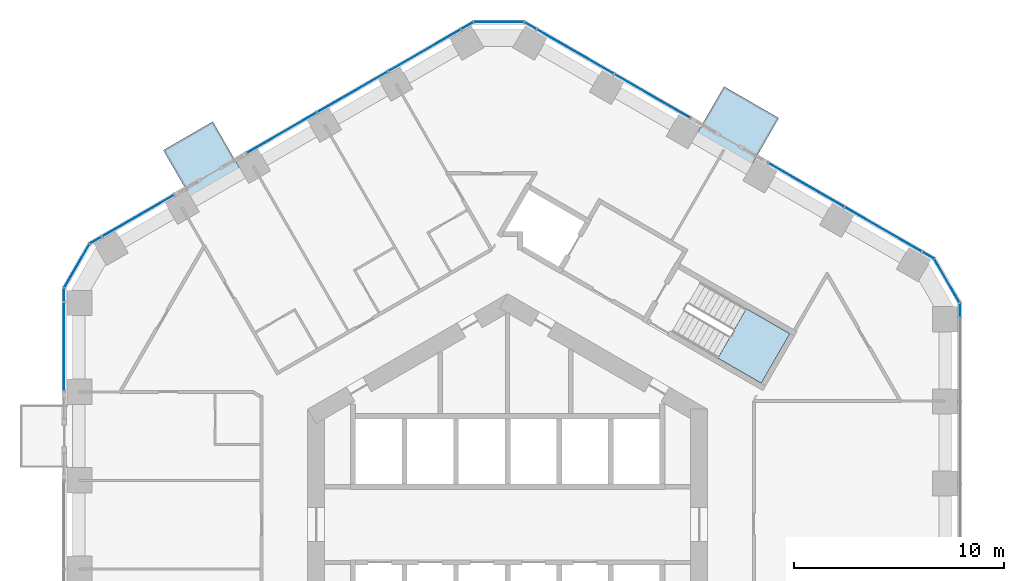
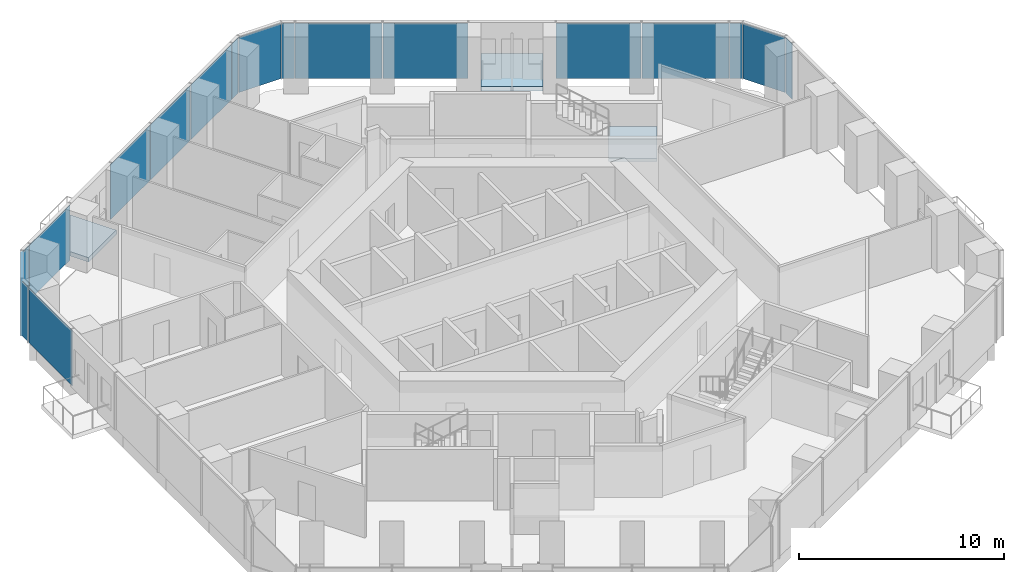
# One storey, part 12 of 20: 18 plates, 3 slabs, 9 elements without a shape of their own.
"""IFC4 building model written with IfcOpenShell, lengths in metres."""

from ifc_helpers import new_model, si_unit, direction, frame, origin, origin_2d, place, context, subcontext, project, spatial, polyline, rectangle, outline, extrude, material, layer, layer_set, type_object, element, aggregate, save


model = new_model("IFC4")

# Units and contexts
model_context = context("Model", 3, precision=1e-05, world=origin(), true_north=direction((0.0, 1.0)))
body_context = subcontext(model_context, "Body", "Model", "MODEL_VIEW")
ifc_project = project(units=[si_unit("LENGTHUNIT", "METRE"), si_unit("AREAUNIT", "SQUARE_METRE"), si_unit("VOLUMEUNIT", "CUBIC_METRE"), si_unit("PLANEANGLEUNIT", "RADIAN"), si_unit("MASSUNIT", "GRAM", prefix="KILO")], contexts=[model_context])

# Site, building, storey
site_placement = place(None, origin())
site = spatial("IfcSite", under=ifc_project, at=site_placement, CompositionType="ELEMENT")
building_placement = place(site_placement, origin())
building = spatial("IfcBuilding", under=site, at=building_placement, Name="Ayvan Gate Tower", CompositionType="ELEMENT")
storey_placement = place(building_placement, frame((0.0, 0.0, 49.300048828125)))
storey = spatial("IfcBuildingStorey", under=building, at=storey_placement, Name="L12", CompositionType="ELEMENT", Elevation=49.300048828125)

# Slabs
ifc_material_1 = material(Name="Concrete C40/50", Category="concrete")
ifc_layer_1 = layer(ifc_material_1, 0.25)
ifc_layer_set_1 = layer_set([ifc_layer_1], Name="Concrete C40/50")
slab_type_1 = type_object("IfcSlabType", Name="Balcony slab 250", PredefinedType="FLOOR", material=ifc_layer_set_1)
slab_1_placement = place(storey_placement, frame((0.0, 0.0, -0.25)))
element("IfcSlab", 1, at=slab_1_placement, inside=storey, type_object=slab_type_1, Name="Balcony slab BAL-L12-2", PredefinedType="FLOOR", context=body_context, shape_type="SweptSolid", body=[
    extrude(outline(polyline([(-12.607421875, 16.72119140625), (-14.958740234375, 15.363525390625), (-16.35888671875, 17.788330078125), (-14.00732421875, 19.14599609375), (-12.607421875, 16.72119140625)])), origin(), (0.0, 0.0, 1.0), 0.25),
])
slab_2_placement = place(storey_placement, frame((0.0, 0.0, -0.25)))
element("IfcSlab", 2, at=slab_2_placement, inside=storey, type_object=slab_type_1, Name="Balcony slab BAL-L12-1", PredefinedType="FLOOR", context=body_context, shape_type="SweptSolid", body=[
    extrude(outline(polyline([(11.485107421875, 16.889404296875), (8.88427734375, 18.39111328125), (10.2841796875, 20.81591796875), (12.885009765625, 19.314208984375), (11.485107421875, 16.889404296875)])), origin(), (0.0, 0.0, 1.0), 0.25),
])

# Stair, slab
stair_type = type_object("IfcStairType", Name="ST-EXIT", PredefinedType="HALF_TURN_STAIR", material=ifc_material_1)
stair_placement = place(storey_placement, origin())
stair = element("IfcStair", 3, at=stair_placement, inside=storey, type_object=stair_type, Name="L12 Exit Stair S1", PredefinedType="HALF_TURN_STAIR")
ifc_layer_2 = layer(ifc_material_1, 0.199951171875)
ifc_layer_set_2 = layer_set([ifc_layer_2], Name="Concrete C40/50")
slab_type_2 = type_object("IfcSlabType", Name="SL-LANDING-200", PredefinedType="LANDING", material=ifc_layer_set_2)
slab_3_placement = place(storey_placement, frame((0.0, 0.0, 1.5)))
slab_3 = element("IfcSlab", 4, at=slab_3_placement, type_object=slab_type_2, Name="STS1 landing 1", PredefinedType="LANDING", context=body_context, shape_type="SweptSolid", body=[
    extrude(outline(polyline([(9.988525390625, 7.91064453125), (12.049560546875, 6.720458984375), (13.404541015625, 9.0673828125), (11.343505859375, 10.257568359375), (9.988525390625, 7.91064453125)])), origin(), (0.0, 0.0, 1.0), 0.199951171875),
])
aggregate(stair, [slab_3])

# Curtain wall, plates
ifc_material_2 = material(Name="Bronze anodised aluminium", Category="aluminium")
ifc_layer_3 = layer(ifc_material_2, 0.199951171875)
ifc_layer_set_3 = layer_set([ifc_layer_3], Name="Bronze anodised aluminium")
curtain_wall_type_1 = type_object("IfcCurtainWallType", Name="Stick curtain wall CW-1", PredefinedType="NOTDEFINED", material=ifc_layer_set_3)
curtain_wall_1_placement = place(storey_placement, origin())
curtain_wall_1 = element("IfcCurtainWall", 5, at=curtain_wall_1_placement, inside=storey, type_object=curtain_wall_type_1, Name="Stick curtain wall CW-1 L12", PredefinedType="NOTDEFINED")
ifc_material_3 = material(Name="Clear low-iron laminated glass", Category="glass")
ifc_layer_4 = layer(ifc_material_3, 0.028076171875)
ifc_layer_set_4 = layer_set([ifc_layer_4], Name="Clear low-iron laminated glass")
plate_type_1 = type_object("IfcPlateType", Name="Stick curtain wall CW-1 glass panel", PredefinedType="CURTAIN_PANEL", material=ifc_layer_set_4)
plate_1_placement = place(storey_placement, frame((-3.9296875, 22.539306640625, 0.0), z_axis=(0.0, 0.0, 1.0), x_axis=(-0.866025403784, -0.5, 0.0)))
plate_1 = element("IfcPlate", 6, at=plate_1_placement, type_object=plate_type_1, Name="CW-1 glass panel 1", PredefinedType="CURTAIN_PANEL", context=body_context, shape_type="SweptSolid", body=[
    extrude(rectangle(XDim=3.968017578125, YDim=0.028076171875, at=origin_2d()), origin(), (0.0, 0.0, 1.0), 3.280029296875),
])
plate_2_placement = place(storey_placement, frame((-7.363525390625, 20.556884765625, 0.0), z_axis=(0.0, 0.0, 1.0), x_axis=(-0.866025403784, -0.5, 0.0)))
plate_2 = element("IfcPlate", 7, at=plate_2_placement, type_object=plate_type_1, Name="CW-1 glass panel 2", PredefinedType="CURTAIN_PANEL", context=body_context, shape_type="SweptSolid", body=[
    extrude(rectangle(XDim=3.842041015625, YDim=0.028076171875, at=origin_2d()), origin(), (0.0, 0.0, 1.0), 3.280029296875),
])
plate_3_placement = place(storey_placement, frame((-10.742431640625, 18.606201171875, 0.0), z_axis=(0.0, 0.0, 1.0), x_axis=(-0.866025403784, -0.5, 0.0)))
plate_3 = element("IfcPlate", 8, at=plate_3_placement, type_object=plate_type_1, Name="CW-1 glass panel 3", PredefinedType="CURTAIN_PANEL", context=body_context, shape_type="SweptSolid", body=[
    extrude(rectangle(XDim=3.841064453125, YDim=0.028076171875, at=origin_2d()), origin(), (0.0, 0.0, 1.0), 3.280029296875),
])
aggregate(curtain_wall_1, [plate_1, plate_2, plate_3])

# Curtain wall, plate
curtain_wall_2_placement = place(storey_placement, origin())
curtain_wall_2 = element("IfcCurtainWall", 9, at=curtain_wall_2_placement, inside=storey, type_object=curtain_wall_type_1, Name="Stick curtain wall CW-1 L12", PredefinedType="NOTDEFINED")
plate_4_placement = place(storey_placement, frame((-17.554931640625, 14.6728515625, 0.0), z_axis=(0.0, 0.0, 1.0), x_axis=(-0.866025403784, -0.5, 0.0)))
plate_4 = element("IfcPlate", 10, at=plate_4_placement, type_object=plate_type_1, Name="CW-1 glass panel 1", PredefinedType="CURTAIN_PANEL", context=body_context, shape_type="SweptSolid", body=[
    extrude(rectangle(XDim=3.9677734375, YDim=0.028076171875, at=origin_2d()), origin(), (0.0, 0.0, 1.0), 3.280029296875),
])
aggregate(curtain_wall_2, [plate_4])

curtain_wall_3_placement = place(storey_placement, origin())
curtain_wall_3 = element("IfcCurtainWall", 11, at=curtain_wall_3_placement, inside=storey, type_object=curtain_wall_type_1, Name="Stick curtain wall CW-1 L12", PredefinedType="NOTDEFINED")
plate_5_placement = place(storey_placement, frame((-21.069091796875, 8.45751953125, 0.0), z_axis=(0.0, 0.0, 1.0), x_axis=(0.0, -1.0, 0.0)))
plate_5 = element("IfcPlate", 12, at=plate_5_placement, type_object=plate_type_1, Name="CW-1 glass panel 1", PredefinedType="CURTAIN_PANEL", context=body_context, shape_type="SweptSolid", body=[
    extrude(rectangle(XDim=4.22509765625, YDim=0.028076171875, at=origin_2d()), origin(), (0.0, 0.0, 1.0), 3.280029296875),
])
aggregate(curtain_wall_3, [plate_5])

# Curtain wall, plates
curtain_wall_4_placement = place(storey_placement, origin())
curtain_wall_4 = element("IfcCurtainWall", 13, at=curtain_wall_4_placement, inside=storey, type_object=curtain_wall_type_1, Name="Stick curtain wall CW-1 L12", PredefinedType="NOTDEFINED")
plate_6_placement = place(storey_placement, frame((17.85888671875, 14.017822265625, 0.0), z_axis=(0.0, 0.0, 1.0), x_axis=(-0.866025403784, 0.5, 0.0)))
plate_6 = element("IfcPlate", 14, at=plate_6_placement, type_object=plate_type_1, Name="CW-1 glass panel 1", PredefinedType="CURTAIN_PANEL", context=body_context, shape_type="SweptSolid", body=[
    extrude(rectangle(XDim=4.22509765625, YDim=0.028076171875, at=origin_2d()), origin(), (0.0, 0.0, 1.0), 3.280029296875),
])
plate_7_placement = place(storey_placement, frame((14.180419921875, 16.141357421875, 0.0), z_axis=(0.0, 0.0, 1.0), x_axis=(-0.866025403784, 0.5, 0.0)))
plate_7 = element("IfcPlate", 15, at=plate_7_placement, type_object=plate_type_1, Name="CW-1 glass panel 2", PredefinedType="CURTAIN_PANEL", context=body_context, shape_type="SweptSolid", body=[
    extrude(rectangle(XDim=4.14990234375, YDim=0.028076171875, at=origin_2d()), origin(), (0.0, 0.0, 1.0), 3.280029296875),
])
aggregate(curtain_wall_4, [plate_6, plate_7])

curtain_wall_5_placement = place(storey_placement, origin())
curtain_wall_5 = element("IfcCurtainWall", 16, at=curtain_wall_5_placement, inside=storey, type_object=curtain_wall_type_1, Name="Stick curtain wall CW-1 L12", PredefinedType="NOTDEFINED")
plate_8_placement = place(storey_placement, frame((6.888671875, 20.3515625, 0.0), z_axis=(0.0, 0.0, 1.0), x_axis=(-0.866025403784, 0.5, 0.0)))
plate_8 = element("IfcPlate", 17, at=plate_8_placement, type_object=plate_type_1, Name="CW-1 glass panel 1", PredefinedType="CURTAIN_PANEL", context=body_context, shape_type="SweptSolid", body=[
    extrude(rectangle(XDim=4.14990234375, YDim=0.028076171875, at=origin_2d()), origin(), (0.0, 0.0, 1.0), 3.280029296875),
])
plate_9_placement = place(storey_placement, frame((3.210205078125, 22.47509765625, 0.0), z_axis=(0.0, 0.0, 1.0), x_axis=(-0.866025403784, 0.5, 0.0)))
plate_9 = element("IfcPlate", 18, at=plate_9_placement, type_object=plate_type_1, Name="CW-1 glass panel 2", PredefinedType="CURTAIN_PANEL", context=body_context, shape_type="SweptSolid", body=[
    extrude(rectangle(XDim=4.224853515625, YDim=0.028076171875, at=origin_2d()), origin(), (0.0, 0.0, 1.0), 3.280029296875),
])
aggregate(curtain_wall_5, [plate_8, plate_9])

ifc_layer_5 = layer(ifc_material_2, 0.199951171875)
ifc_layer_set_5 = layer_set([ifc_layer_5], Name="Bronze anodised aluminium")
curtain_wall_type_2 = type_object("IfcCurtainWallType", Name="Stick curtain wall CW-6", PredefinedType="NOTDEFINED", material=ifc_layer_set_5)
curtain_wall_6_placement = place(storey_placement, origin())
curtain_wall_6 = element("IfcCurtainWall", 19, at=curtain_wall_6_placement, inside=storey, type_object=curtain_wall_type_2, Name="Stick curtain wall CW-6 L12", PredefinedType="NOTDEFINED")
ifc_layer_6 = layer(ifc_material_3, 0.028076171875)
ifc_layer_set_6 = layer_set([ifc_layer_6], Name="Clear low-iron laminated glass")
plate_type_2 = type_object("IfcPlateType", Name="Stick curtain wall CW-6 glass panel", PredefinedType="CURTAIN_PANEL", material=ifc_layer_set_6)
plate_10_placement = place(storey_placement, frame((-19.569580078125, 13.509765625, 0.0), z_axis=(0.0, 0.0, 1.0), x_axis=(-0.866025403784, -0.5, 0.0)))
plate_10 = element("IfcPlate", 20, at=plate_10_placement, type_object=plate_type_2, Name="CW-6 glass panel 1", PredefinedType="CURTAIN_PANEL", context=body_context, shape_type="SweptSolid", body=[
    extrude(rectangle(XDim=0.625, YDim=0.028076171875, at=origin_2d()), origin(), (0.0, 0.0, 1.0), 3.280029296875),
])
plate_11_placement = place(storey_placement, frame((-20.465576171875, 12.29541015625, 0.0), z_axis=(0.0, 0.0, 1.0), x_axis=(-0.5, -0.866025403784, 0.0)))
plate_11 = element("IfcPlate", 21, at=plate_11_placement, type_object=plate_type_2, Name="CW-6 glass panel 2", PredefinedType="CURTAIN_PANEL", context=body_context, shape_type="SweptSolid", body=[
    extrude(rectangle(XDim=2.364501953125, YDim=0.028076171875, at=origin_2d()), origin(), (0.0, 0.0, 1.0), 3.280029296875),
])
plate_12_placement = place(storey_placement, frame((-21.069091796875, 10.912353515625, 0.0), z_axis=(0.0, 0.0, 1.0), x_axis=(0.0, -1.0, 0.0)))
plate_12 = element("IfcPlate", 22, at=plate_12_placement, type_object=plate_type_2, Name="CW-6 glass panel 3", PredefinedType="CURTAIN_PANEL", context=body_context, shape_type="SweptSolid", body=[
    extrude(rectangle(XDim=0.625, YDim=0.028076171875, at=origin_2d()), origin(), (0.0, 0.0, 1.0), 3.280029296875),
])
aggregate(curtain_wall_6, [plate_10, plate_11, plate_12])

curtain_wall_7_placement = place(storey_placement, origin())
curtain_wall_7 = element("IfcCurtainWall", 23, at=curtain_wall_7_placement, inside=storey, type_object=curtain_wall_type_2, Name="Stick curtain wall CW-6 L12", PredefinedType="NOTDEFINED")
plate_13_placement = place(storey_placement, frame((21.484619140625, 10.19287109375, 0.0), z_axis=(0.0, 0.0, 1.0), x_axis=(0.0, 1.0, 0.0)))
plate_13 = element("IfcPlate", 24, at=plate_13_placement, type_object=plate_type_2, Name="CW-6 glass panel 1", PredefinedType="CURTAIN_PANEL", context=body_context, shape_type="SweptSolid", body=[
    extrude(rectangle(XDim=0.625, YDim=0.028076171875, at=origin_2d()), origin(), (0.0, 0.0, 1.0), 3.280029296875),
])
plate_14_placement = place(storey_placement, frame((20.880859375, 11.575927734375, 0.0), z_axis=(0.0, 0.0, 1.0), x_axis=(-0.5, 0.866025403784, 0.0)))
plate_14 = element("IfcPlate", 25, at=plate_14_placement, type_object=plate_type_2, Name="CW-6 glass panel 2", PredefinedType="CURTAIN_PANEL", context=body_context, shape_type="SweptSolid", body=[
    extrude(rectangle(XDim=2.364501953125, YDim=0.028076171875, at=origin_2d()), origin(), (0.0, 0.0, 1.0), 3.280029296875),
])
plate_15_placement = place(storey_placement, frame((19.985107421875, 12.790283203125, 0.0), z_axis=(0.0, 0.0, 1.0), x_axis=(-0.866025403784, 0.5, 0.0)))
plate_15 = element("IfcPlate", 26, at=plate_15_placement, type_object=plate_type_2, Name="CW-6 glass panel 3", PredefinedType="CURTAIN_PANEL", context=body_context, shape_type="SweptSolid", body=[
    extrude(rectangle(XDim=0.625, YDim=0.028076171875, at=origin_2d()), origin(), (0.0, 0.0, 1.0), 3.280029296875),
])
aggregate(curtain_wall_7, [plate_13, plate_14, plate_15])

curtain_wall_8_placement = place(storey_placement, origin())
curtain_wall_8 = element("IfcCurtainWall", 27, at=curtain_wall_8_placement, inside=storey, type_object=curtain_wall_type_2, Name="Stick curtain wall CW-6 L12", PredefinedType="NOTDEFINED")
plate_16_placement = place(storey_placement, frame((1.084228515625, 23.70263671875, 0.0), z_axis=(0.0, 0.0, 1.0), x_axis=(-0.866025403784, 0.5, 0.0)))
plate_16 = element("IfcPlate", 28, at=plate_16_placement, type_object=plate_type_2, Name="CW-6 glass panel 1", PredefinedType="CURTAIN_PANEL", context=body_context, shape_type="SweptSolid", body=[
    extrude(rectangle(XDim=0.625, YDim=0.028076171875, at=origin_2d()), origin(), (0.0, 0.0, 1.0), 3.280029296875),
])
plate_17_placement = place(storey_placement, frame((-0.41552734375, 23.871337890625, 0.0), z_axis=(0.0, 0.0, 1.0), x_axis=(-1.0, 0.0, 0.0)))
plate_17 = element("IfcPlate", 29, at=plate_17_placement, type_object=plate_type_2, Name="CW-6 glass panel 2", PredefinedType="CURTAIN_PANEL", context=body_context, shape_type="SweptSolid", body=[
    extrude(rectangle(XDim=2.364501953125, YDim=0.028076171875, at=origin_2d()), origin(), (0.0, 0.0, 1.0), 3.280029296875),
])
plate_18_placement = place(storey_placement, frame((-1.9150390625, 23.70263671875, 0.0), z_axis=(0.0, 0.0, 1.0), x_axis=(-0.866025403784, -0.5, 0.0)))
plate_18 = element("IfcPlate", 30, at=plate_18_placement, type_object=plate_type_2, Name="CW-6 glass panel 3", PredefinedType="CURTAIN_PANEL", context=body_context, shape_type="SweptSolid", body=[
    extrude(rectangle(XDim=0.625, YDim=0.028076171875, at=origin_2d()), origin(), (0.0, 0.0, 1.0), 3.280029296875),
])
aggregate(curtain_wall_8, [plate_16, plate_17, plate_18])

save(model, "model.ifc")
